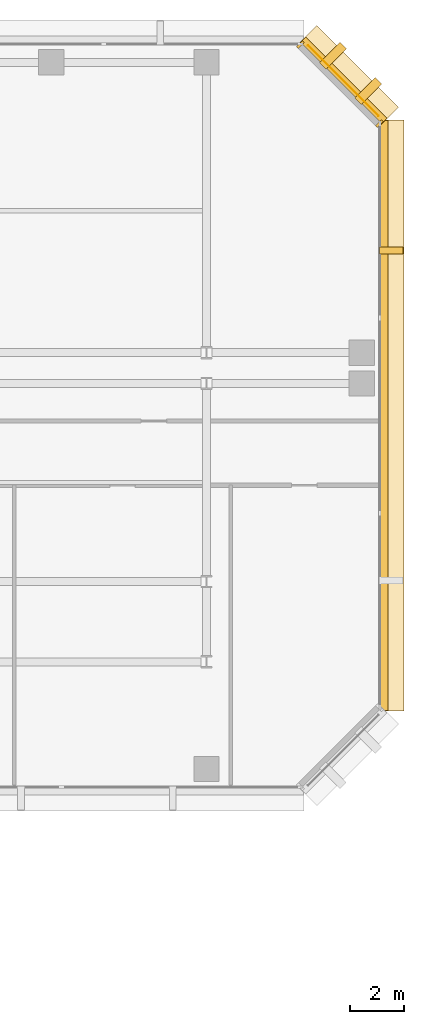
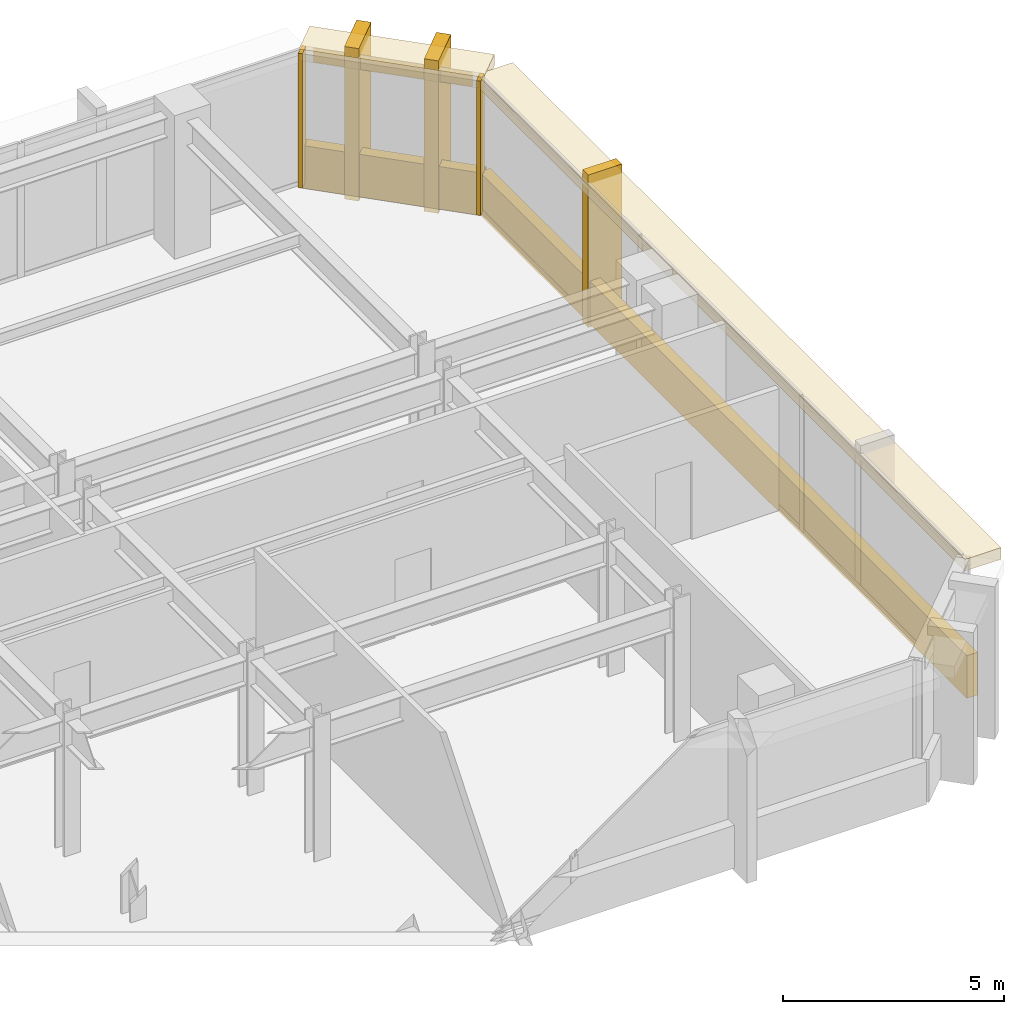
# One storey, part 13 of 13: 10 coverings.
"""IFC4 building model written with IfcOpenShell, lengths in metres."""

from ifc_helpers import new_model, si_unit, direction, frame, origin, origin_2d, place, context, subcontext, project, spatial, rectangle, extrude, material, layer, layer_set, type_object, element, save


model = new_model("IFC4")

# Units and contexts
model_context = context("Model", 3, precision=1e-05, world=origin(), true_north=direction((0.0, 1.0)))
body_context = subcontext(model_context, "Body", "Model", "MODEL_VIEW")
ifc_project = project(units=[si_unit("LENGTHUNIT", "METRE"), si_unit("AREAUNIT", "SQUARE_METRE"), si_unit("VOLUMEUNIT", "CUBIC_METRE"), si_unit("PLANEANGLEUNIT", "RADIAN"), si_unit("MASSUNIT", "GRAM", prefix="KILO")], contexts=[model_context])

# Site, building, storey
site_placement = place(None, origin())
site = spatial("IfcSite", under=ifc_project, at=site_placement, CompositionType="ELEMENT")
building_placement = place(site_placement, origin())
building = spatial("IfcBuilding", under=site, at=building_placement, Name="Kefirva Bronze Tower", CompositionType="ELEMENT")
storey_placement = place(building_placement, frame((0.0, 0.0, 106.590087890625)))
storey = spatial("IfcBuildingStorey", under=building, at=storey_placement, Name="L25", CompositionType="ELEMENT", Elevation=106.590087890625)

# Coverings
ifc_material = material(Name="Bronze anodised aluminium", Category="aluminium")
ifc_layer_1 = layer(ifc_material, 0.02001953125, Name="Bronze anodised aluminium")
ifc_layer_set_1 = layer_set([ifc_layer_1], Name="Bronze anodised aluminium")
covering_type_1 = type_object("IfcCoveringType", Name="Anodised Bronze Spandrel Cladding 20mm", PredefinedType="CLADDING", material=ifc_layer_set_1)
covering_1_placement = place(storey_placement, frame((56.0400390625, 32.0, -0.16015625), z_axis=(0.0, 0.0, 1.0), x_axis=(0.0, 1.0, 0.0)))
element("IfcCovering", 1, at=covering_1_placement, inside=storey, type_object=covering_type_1, Name="L25 Streamline Horizontal Spandrel Band 6", PredefinedType="CLADDING", context=body_context, shape_type="SweptSolid", body=[
    extrude(rectangle(XDim=22.0400390625, YDim=0.280029296875, at=origin_2d()), origin(), (0.0, 0.0, 1.0), 1.179931640625),
])
covering_2_placement = place(storey_placement, frame((54.507080078125, 44.507080078125, 3.2900390625), z_axis=(0.0, 0.0, 1.0), x_axis=(-0.707106781187, 0.707106781187, 0.0)))
element("IfcCovering", 2, at=covering_2_placement, inside=storey, type_object=covering_type_1, Name="L25 Bronze Spandrel Cladding 5", PredefinedType="CLADDING", context=body_context, shape_type="SweptSolid", body=[
    extrude(rectangle(XDim=3.719482421875, YDim=0.02001953125, at=origin_2d()), origin(), (0.0, 0.0, 1.0), 0.39990234375),
])
for number, where, z_axis, x_axis, name in (
    (3, (55.862060546875, 42.91162109375, 0.0), (0.0, 0.0, 1.0), (-0.707106781187, 0.707106781187, 0.0), "L25 Facade Joint Closure Panel 5S"),
    (4, (52.91162109375, 45.862060546875, 0.0), (0.0, 0.0, 1.0), (-0.707106781187, 0.707106781187, 0.0), "L25 Facade Joint Closure Panel 5E"),
):
    element("IfcCovering", number, at=place(storey_placement, frame(where, z_axis=z_axis, x_axis=x_axis)), inside=storey, type_object=covering_type_1, Name=name, PredefinedType="CLADDING", context=body_context, shape_type="SweptSolid", body=[
        extrude(rectangle(XDim=0.10009765625, YDim=0.320068359375, at=origin_2d()), origin(), (0.0, 0.0, 1.0), 3.7099609375),
    ])
covering_3_placement = place(storey_placement, frame((54.5283203125, 44.5283203125, -0.16015625), z_axis=(0.0, 0.0, 1.0), x_axis=(-0.707106781187, 0.707106781187, 0.0)))
element("IfcCovering", 5, at=covering_3_placement, inside=storey, type_object=covering_type_1, Name="L25 Streamline Horizontal Spandrel Band 7", PredefinedType="CLADDING", context=body_context, shape_type="SweptSolid", body=[
    extrude(rectangle(XDim=4.28271484375, YDim=0.280029296875, at=origin_2d()), origin(), (0.0, 0.0, 1.0), 1.179931640625),
])
ifc_layer_2 = layer(ifc_material, 0.179931640625, Name="Bronze anodised aluminium")
ifc_layer_set_2 = layer_set([ifc_layer_2], Name="Bronze anodised aluminium")
covering_type_2 = type_object("IfcCoveringType", Name="Streamline Bronze Sunshade Eyebrow Cladding 180mm", PredefinedType="CLADDING", material=ifc_layer_set_2)
covering_4_placement = place(storey_placement, frame((56.31005859375, 32.0, 3.3896484375), z_axis=(0.0, 0.0, 1.0), x_axis=(0.0, 1.0, 0.0)))
element("IfcCovering", 6, at=covering_4_placement, inside=storey, type_object=covering_type_2, Name="L25 Streamline Bronze Sunshade Eyebrow 6", PredefinedType="CLADDING", context=body_context, shape_type="SweptSolid", body=[
    extrude(rectangle(XDim=22.080078125, YDim=0.93994140625, at=origin_2d()), origin(), (0.0, 0.0, 1.0), 0.320068359375),
])
covering_5_placement = place(storey_placement, frame((54.71923828125, 44.71923828125, 3.3896484375), z_axis=(0.0, 0.0, 1.0), x_axis=(-0.707106781187, 0.707106781187, 0.0)))
element("IfcCovering", 7, at=covering_5_placement, inside=storey, type_object=covering_type_2, Name="L25 Streamline Bronze Sunshade Eyebrow 7", PredefinedType="CLADDING", context=body_context, shape_type="SweptSolid", body=[
    extrude(rectangle(XDim=4.322509765625, YDim=0.93994140625, at=origin_2d()), origin(), (0.0, 0.0, 1.0), 0.320068359375),
])
ifc_layer_3 = layer(ifc_material, 0.260009765625, Name="Bronze anodised aluminium")
ifc_layer_set_3 = layer_set([ifc_layer_3], Name="Bronze anodised aluminium")
covering_type_3 = type_object("IfcCoveringType", Name="Unbroken Bronze Buttress Fin Cladding 260mm", PredefinedType="CLADDING", material=ifc_layer_set_3)
covering_6_placement = place(storey_placement, frame((56.300048828125, 38.159912109375, -0.25), z_axis=(0.0, 0.0, 1.0), x_axis=(0.0, 1.0, 0.0)))
element("IfcCovering", 8, at=covering_6_placement, inside=storey, type_object=covering_type_3, Name="L25 Unbroken Vertical Bronze Rib Fin 16", PredefinedType="CLADDING", context=body_context, shape_type="SweptSolid", body=[
    extrude(rectangle(XDim=0.260009765625, YDim=0.8798828125, at=origin_2d()), origin(), (0.0, 0.0, 1.0), 4.2099609375),
])
for number, where, z_axis, x_axis, name in (
    (9, (55.44287109375, 44.122802734375, -0.25), (0.0, 0.0, 1.0), (-0.707106781187, 0.707106781187, 0.0), "L25 Chamfered Corner Buttress Fin Cladding 17"),
    (10, (54.122802734375, 45.44287109375, -0.25), (0.0, 0.0, 1.0), (-0.707106781187, 0.707106781187, 0.0), "L25 Chamfered Corner Buttress Fin Cladding 18"),
):
    element("IfcCovering", number, at=place(storey_placement, frame(where, z_axis=z_axis, x_axis=x_axis)), inside=storey, type_object=covering_type_3, Name=name, PredefinedType="CLADDING", context=body_context, shape_type="SweptSolid", body=[
        extrude(rectangle(XDim=0.340087890625, YDim=1.080078125, at=origin_2d()), origin(), (0.0, 0.0, 1.0), 4.2099609375),
    ])

save(model, "model.ifc")
